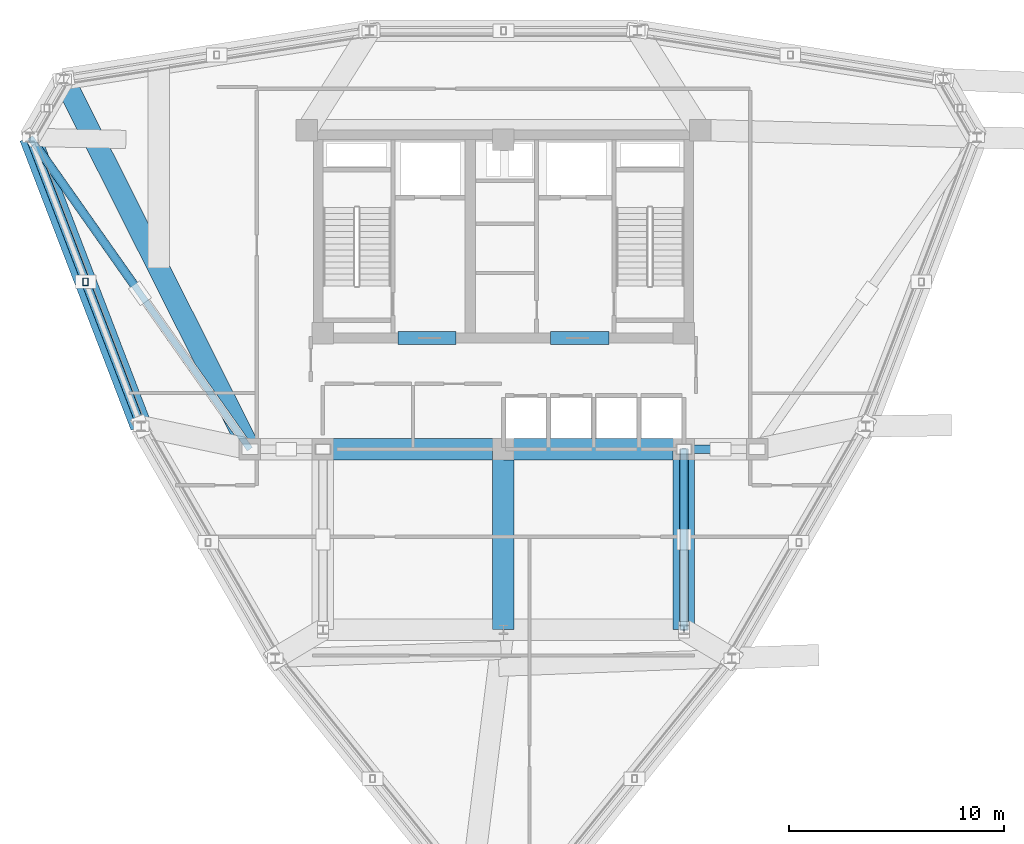
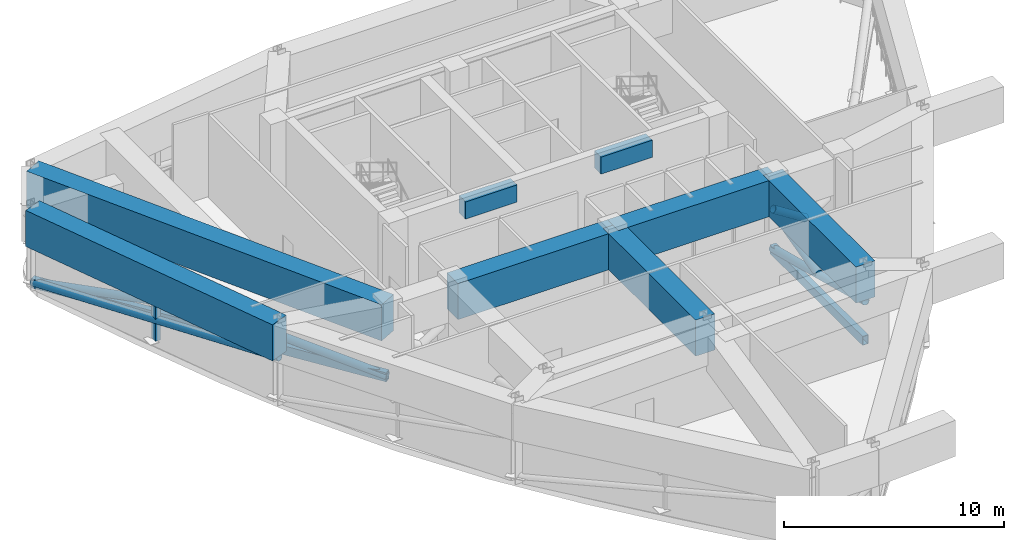
# One storey, part 3 of 12: 9 members, 8 beams.
"""IFC4 building model written with IfcOpenShell, lengths in metres."""

from ifc_helpers import new_model, si_unit, derived_unit, direction, frame, origin, origin_2d, place, context, subcontext, project, spatial, rectangle, hollow_rectangle, hollow_circle, extrude, source, transform, mapped, material, material_profile, profile_set, type_object, element, save


model = new_model("IFC4")

# Units and contexts
model_context = context("Model", 3, precision=1e-05, world=origin(), true_north=direction((0.0, 1.0)))
body_context = subcontext(model_context, "Body", "Model", "MODEL_VIEW")
ifc_project = project(units=[si_unit("LENGTHUNIT", "METRE"), si_unit("AREAUNIT", "SQUARE_METRE"), si_unit("VOLUMEUNIT", "CUBIC_METRE"), si_unit("PLANEANGLEUNIT", "RADIAN"), si_unit("MASSUNIT", "GRAM", prefix="KILO"), derived_unit("THERMALTRANSMITTANCEUNIT", [(si_unit("POWERUNIT", "WATT"), 1), (si_unit("LENGTHUNIT", "METRE"), -2), (si_unit("THERMODYNAMICTEMPERATUREUNIT", "KELVIN"), -1)])], contexts=[model_context])

# Site, building, storey
site_placement = place(None, origin())
site = spatial("IfcSite", under=ifc_project, at=site_placement, CompositionType="ELEMENT")
building_placement = place(site_placement, origin())
building = spatial("IfcBuilding", under=site, at=building_placement, Name="Korsvarv Bourse and Concert Hall", CompositionType="ELEMENT")
storey_placement = place(building_placement, frame((0.0, 0.0, 201.0)))
storey = spatial("IfcBuildingStorey", under=building, at=storey_placement, Name="L52", CompositionType="ELEMENT", Elevation=201.0)

# Beams
ifc_material_1 = material(Name="Concrete C55/67", Category="concrete")
ifc_material_profile_1 = material_profile(ifc_material_1, rectangle(XDim=0.60009765625, YDim=0.949951171875, at=origin_2d()), Name="RC-BM 600x950")
ifc_profile_set_1 = profile_set([ifc_material_profile_1], Name="Concrete C55/67")
beam_type_1 = type_object("IfcBeamType", Name="BM-CPL", PredefinedType="LINTEL", material=ifc_profile_set_1)
shared_shape_1 = source(origin(), body_context, "Body", "SweptSolid", [
    extrude(rectangle(XDim=0.60009765625, YDim=0.949951171875, at=origin_2d()), origin(), (0.0, 0.0, 1.0), 2.699951171875),
])
for number, where, z_axis, x_axis, name in (
    (1, (31.10009765625, 37.574951171875, 4.135009765625), (1.0, 0.0, 0.0), (0.0, 1.0, 0.0), "L52 Core Coupling Beam West"),
    (2, (38.199951171875, 37.574951171875, 4.135009765625), (1.0, 0.0, 0.0), (0.0, 1.0, 0.0), "L52 Core Coupling Beam East"),
):
    element("IfcBeam", number, at=place(storey_placement, frame(where, z_axis=z_axis, x_axis=x_axis)), inside=storey, type_object=beam_type_1, Name=name, PredefinedType="LINTEL", context=body_context, shape_type="MappedRepresentation", body=[
        mapped(shared_shape_1, transform((0.0, 0.0, 0.0), scale=1.0)),
    ])
ifc_material_2 = material(Name="Concrete C60/75", Category="concrete")
ifc_material_profile_2 = material_profile(ifc_material_2, rectangle(XDim=1.0, YDim=2.0, at=origin_2d()), Name="RC-BM 1000x2000")
ifc_profile_set_2 = profile_set([ifc_material_profile_2], Name="Concrete C60/75")
beam_type_2 = type_object("IfcBeamType", Name="BM-TR1", PredefinedType="BEAM", material=ifc_profile_set_2)
shared_shape_2 = source(origin(), body_context, "Body", "SweptSolid", [
    extrude(rectangle(XDim=1.0, YDim=2.0, at=origin_2d()), origin(), (0.0, 0.0, 1.0), 8.39990234375),
])
for number, where, z_axis, x_axis, name in (
    (3, (27.60009765625, 32.39990234375, 3.570068359375), (1.0, 0.0, 0.0), (0.0, 1.0, 0.0), "L52 beam B-TR1"),
    (4, (36.0, 32.39990234375, 3.570068359375), (1.0, 0.0, 0.0), (0.0, 1.0, 0.0), "L52 beam B-TR1"),
    (5, (36.0, 24.0, 3.570068359375), (0.0, 1.0, 0.0), (-1.0, 0.0, 0.0), "L52 beam B-TR1"),
    (6, (44.39990234375, 24.0, 3.570068359375), (0.0, 1.0, 0.0), (-1.0, 0.0, 0.0), "L52 beam B-TR1"),
):
    element("IfcBeam", number, at=place(storey_placement, frame(where, z_axis=z_axis, x_axis=x_axis)), inside=storey, type_object=beam_type_2, Name=name, PredefinedType="BEAM", context=body_context, shape_type="MappedRepresentation", body=[
        mapped(shared_shape_2, transform((0.0, 0.0, 0.0), scale=1.0)),
    ])

# Members
ifc_material_3 = material(Name="Steel S460", Category="steel")
ifc_material_profile_3 = material_profile(ifc_material_3, hollow_rectangle(XDim=0.300048828125, YDim=0.5, WallThickness=0.02001953125, at=origin_2d()), Name="RHS 500x300x20")
ifc_profile_set_3 = profile_set([ifc_material_profile_3], Name="Steel S460")
member_type_1 = type_object("IfcMemberType", Name="MEM-RHS500", PredefinedType="CHORD", material=ifc_profile_set_3)
shared_shape_3 = source(origin(), body_context, "Body", "SweptSolid", [
    extrude(hollow_rectangle(XDim=0.300048828125, YDim=0.5, WallThickness=0.02001953125, at=origin_2d()), origin(), (0.0, 0.0, 1.0), 8.39990234375),
])
member_1_placement = place(storey_placement, frame((44.39990234375, 32.39990234375, 0.35009765625), z_axis=(0.0, -1.0, 0.0), x_axis=(1.0, 0.0, 0.0)))
element("IfcMember", 7, at=member_1_placement, inside=storey, type_object=member_type_1, Name="L52 Outrigger Truss S2 Bottom Chord", PredefinedType="CHORD", context=body_context, shape_type="MappedRepresentation", body=[
    mapped(shared_shape_3, transform((0.0, 0.0, 0.0), scale=1.0)),
])
ifc_material_4 = material(Name="Steel S355", Category="steel")
ifc_material_profile_4 = material_profile(ifc_material_4, hollow_rectangle(XDim=0.25, YDim=0.35009765625, WallThickness=0.012451171875, at=origin_2d()), Name="RHS 350x250x12.5")
ifc_profile_set_4 = profile_set([ifc_material_profile_4], Name="Steel S355")
member_type_2 = type_object("IfcMemberType", Name="MEM-RHS350", PredefinedType="STRUT", material=ifc_profile_set_4)
shared_shape_4 = source(origin(), body_context, "Body", "SweptSolid", [
    extrude(hollow_rectangle(XDim=0.25, YDim=0.35009765625, WallThickness=0.012451171875, at=origin_2d()), origin(), (0.0, 0.0, 1.0), 2.169921875),
])
member_2_placement = place(storey_placement, frame((16.553955078125, 40.187255859375, 0.35009765625), z_axis=(0.0, 0.0, 1.0), x_axis=(1.0, 0.0, 0.0)))
element("IfcMember", 8, at=member_2_placement, inside=storey, type_object=member_type_2, Name="L52 Perimeter Belt Truss Strut 6", PredefinedType="STRUT", context=body_context, shape_type="MappedRepresentation", body=[
    mapped(shared_shape_4, transform((0.0, 0.0, 0.0), scale=1.0)),
])

# Beams
shared_shape_5 = source(origin(), body_context, "Body", "SweptSolid", [
    extrude(rectangle(XDim=1.0, YDim=2.0, at=origin_2d()), origin(), (0.0, 0.0, 1.0), 14.408935546875),
])
beam_1_placement = place(storey_placement, frame((13.9697265625, 46.912353515625, 3.570068359375), z_axis=(0.35869521437, -0.933454735479, 0.0), x_axis=(0.933454735479, 0.35869521437, 0.0)))
element("IfcBeam", 9, at=beam_1_placement, inside=storey, type_object=beam_type_2, Name="L52 beam B-TR1", PredefinedType="BEAM", context=body_context, shape_type="MappedRepresentation", body=[
    mapped(shared_shape_5, transform((0.0, 0.0, 0.0), scale=1.0)),
])
shared_shape_6 = source(origin(), body_context, "Body", "SweptSolid", [
    extrude(rectangle(XDim=1.0, YDim=2.0, at=origin_2d()), origin(), (0.0, 0.0, 1.0), 19.27978515625),
])
beam_2_placement = place(storey_placement, frame((15.534423828125, 49.62255859375, 3.570068359375), z_axis=(0.449461133665, -0.893299887678, 0.0), x_axis=(0.893299887678, 0.449461133665, 0.0)))
element("IfcBeam", 10, at=beam_2_placement, inside=storey, type_object=beam_type_2, Name="L52 beam B-TR1", PredefinedType="BEAM", context=body_context, shape_type="MappedRepresentation", body=[
    mapped(shared_shape_6, transform((0.0, 0.0, 0.0), scale=1.0)),
])

# Members
ifc_material_profile_5 = material_profile(ifc_material_4, hollow_circle(Radius=0.203125, WallThickness=0.01611328125, at=origin_2d()), Name="CHS 406.4x16")
ifc_profile_set_5 = profile_set([ifc_material_profile_5], Name="Steel S355")
member_type_3 = type_object("IfcMemberType", Name="MEM-CHS406", PredefinedType="BRACE", material=ifc_profile_set_5)
shared_shape_7 = source(origin(), body_context, "Body", "SweptSolid", [
    extrude(hollow_circle(Radius=0.203125, WallThickness=0.01611328125, at=origin_2d()), origin(), (0.0, 0.0, 1.0), 2.016845703125),
])
member_3_placement = place(storey_placement, frame((46.10009765625, 32.39990234375, 1.43505859375), z_axis=(-0.842982942684, 0.0, 0.537940292546), x_axis=(0.0, -1.0, 0.0)))
element("IfcMember", 11, at=member_3_placement, inside=storey, type_object=member_type_3, Name="L52 Outrigger Truss E1 Split Diagonal 2B", PredefinedType="BRACE", context=body_context, shape_type="MappedRepresentation", body=[
    mapped(shared_shape_7, transform((0.0, 0.0, 0.0), scale=1.0)),
])
shared_shape_8 = source(origin(), body_context, "Body", "SweptSolid", [
    extrude(hollow_rectangle(XDim=0.300048828125, YDim=0.5, WallThickness=0.02001953125, at=origin_2d()), origin(), (0.0, 0.0, 1.0), 17.755859375),
])
member_4_placement = place(storey_placement, frame((24.199951171875, 32.39990234375, 0.35009765625), z_axis=(-0.57616214008, 0.817335419726, 0.0), x_axis=(-0.817335419726, -0.57616214008, 0.0)))
element("IfcMember", 12, at=member_4_placement, inside=storey, type_object=member_type_1, Name="L52 Outrigger Truss W2 Bottom Chord", PredefinedType="CHORD", context=body_context, shape_type="MappedRepresentation", body=[
    mapped(shared_shape_8, transform((0.0, 0.0, 0.0), scale=1.0)),
])
shared_shape_9 = source(origin(), body_context, "Body", "SweptSolid", [
    extrude(hollow_circle(Radius=0.203125, WallThickness=0.01611328125, at=origin_2d()), origin(), (0.0, 0.0, 1.0), 17.887939453125),
])
member_5_placement = place(storey_placement, frame((24.199951171875, 32.39990234375, 0.35009765625), z_axis=(-0.571907230491, 0.811299465482, 0.121306623979), x_axis=(-0.817335419726, -0.57616214008, 0.0)))
element("IfcMember", 13, at=member_5_placement, inside=storey, type_object=member_type_3, Name="L52 Outrigger Truss W2 Diagonal 1", PredefinedType="BRACE", context=body_context, shape_type="MappedRepresentation", body=[
    mapped(shared_shape_9, transform((0.0, 0.0, 0.0), scale=1.0)),
])
shared_shape_10 = source(origin(), body_context, "Body", "SweptSolid", [
    extrude(hollow_circle(Radius=0.203125, WallThickness=0.01611328125, at=origin_2d()), origin(), (0.0, 0.0, 1.0), 8.94384765625),
])
member_6_placement = place(storey_placement, frame((13.9697265625, 46.912353515625, 0.35009765625), z_axis=(0.571922747397, -0.811288467707, 0.121307020305), x_axis=(0.817324380011, 0.576177800544, 0.0)))
element("IfcMember", 14, at=member_6_placement, inside=storey, type_object=member_type_3, Name="L52 Outrigger Truss W2 Split Diagonal 2A", PredefinedType="BRACE", context=body_context, shape_type="MappedRepresentation", body=[
    mapped(shared_shape_10, transform((0.0, 0.0, 0.0), scale=1.0)),
])
shared_shape_11 = source(origin(), body_context, "Body", "SweptSolid", [
    extrude(hollow_circle(Radius=0.203125, WallThickness=0.01611328125, at=origin_2d()), origin(), (0.0, 0.0, 1.0), 8.675537109375),
])
member_7_placement = place(storey_placement, frame((44.39990234375, 32.39990234375, 0.35009765625), z_axis=(0.0, -0.968215796223, 0.250116316829), x_axis=(1.0, 0.0, 0.0)))
element("IfcMember", 15, at=member_7_placement, inside=storey, type_object=member_type_3, Name="L52 Outrigger Truss S2 Diagonal 1", PredefinedType="BRACE", context=body_context, shape_type="MappedRepresentation", body=[
    mapped(shared_shape_11, transform((0.0, 0.0, 0.0), scale=1.0)),
])
shared_shape_12 = source(origin(), body_context, "Body", "SweptSolid", [
    extrude(hollow_circle(Radius=0.203125, WallThickness=0.01611328125, at=origin_2d()), origin(), (0.0, 0.0, 1.0), 4.337890625),
])
member_8_placement = place(storey_placement, frame((44.39990234375, 28.199951171875, 1.43505859375), z_axis=(0.0, 0.968215796223, 0.250116316829), x_axis=(-1.0, 0.0, 0.0)))
element("IfcMember", 16, at=member_8_placement, inside=storey, type_object=member_type_3, Name="L52 Outrigger Truss S2 Split Diagonal 2B", PredefinedType="BRACE", context=body_context, shape_type="MappedRepresentation", body=[
    mapped(shared_shape_12, transform((0.0, 0.0, 0.0), scale=1.0)),
])
shared_shape_13 = source(origin(), body_context, "Body", "SweptSolid", [
    extrude(hollow_circle(Radius=0.203125, WallThickness=0.01611328125, at=origin_2d()), origin(), (0.0, 0.0, 1.0), 14.571533203125),
])
member_9_placement = place(storey_placement, frame((13.9697265625, 46.912353515625, 0.35009765625), z_axis=(0.354695749333, -0.923046680314, 0.14891524894), x_axis=(0.933454735479, 0.35869521437, 0.0)))
element("IfcMember", 17, at=member_9_placement, inside=storey, type_object=member_type_3, Name="L52 Perimeter Belt Truss Diagonal 6", PredefinedType="BRACE", context=body_context, shape_type="MappedRepresentation", body=[
    mapped(shared_shape_13, transform((0.0, 0.0, 0.0), scale=1.0)),
])

save(model, "model.ifc")
